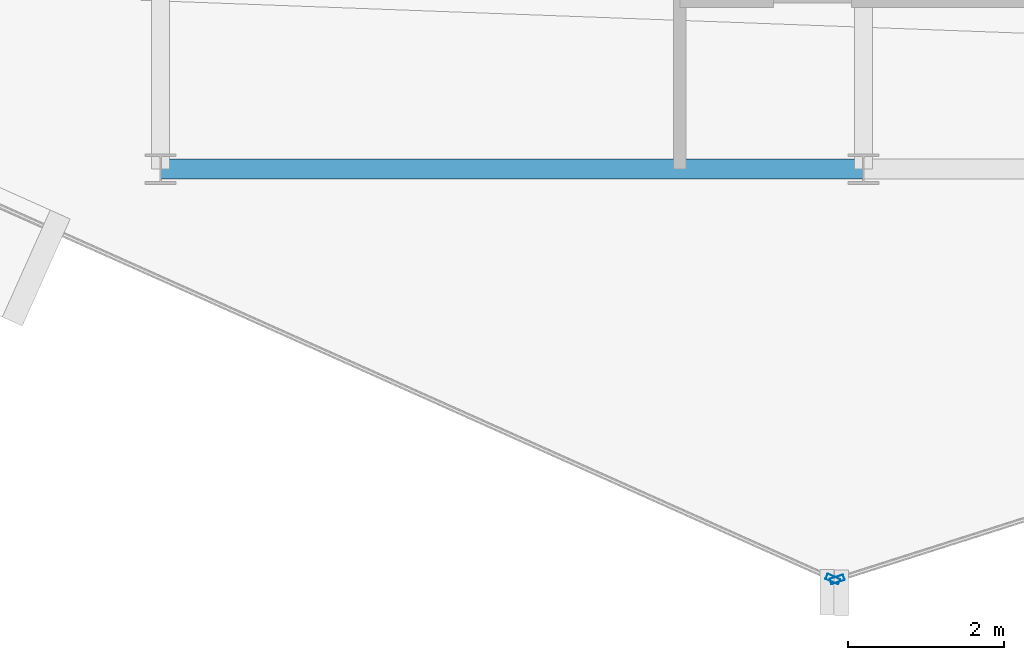
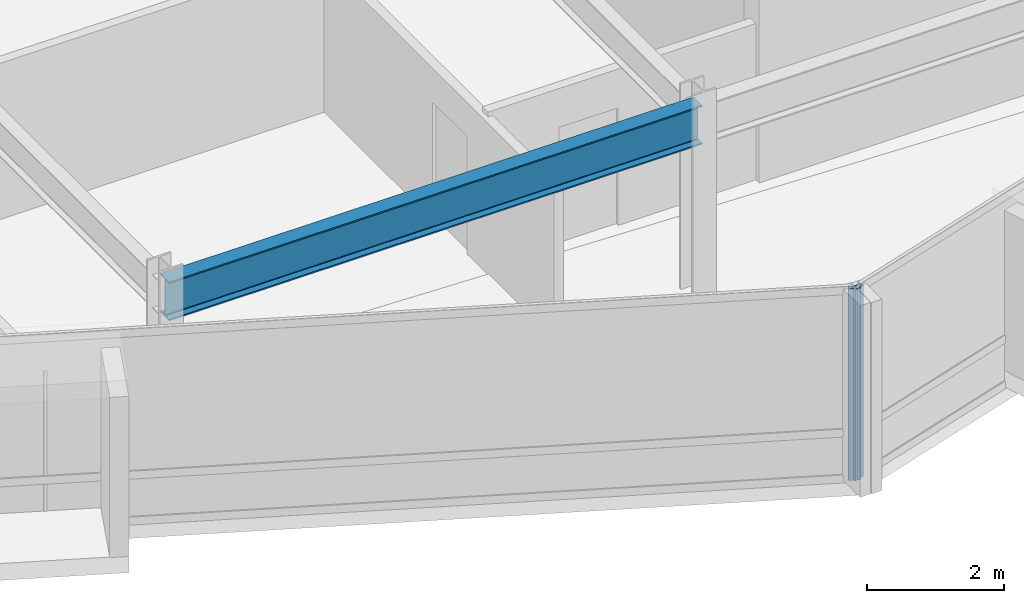
# One storey, part 4 of 19: 2 members, 1 beam, 2 elements without a shape of their own.
"""IFC4 building model written with IfcOpenShell, lengths in metres."""

from ifc_helpers import new_model, si_unit, direction, frame, origin, origin_2d, place, context, subcontext, project, spatial, hollow_rectangle, i_section, extrude, material, layer, layer_set, material_profile, profile_set, type_object, element, aggregate, save


model = new_model("IFC4")

# Units and contexts
model_context = context("Model", 3, precision=1e-05, world=origin(), true_north=direction((0.0, 1.0)))
body_context = subcontext(model_context, "Body", "Model", "MODEL_VIEW")
ifc_project = project(units=[si_unit("LENGTHUNIT", "METRE"), si_unit("AREAUNIT", "SQUARE_METRE"), si_unit("VOLUMEUNIT", "CUBIC_METRE"), si_unit("PLANEANGLEUNIT", "RADIAN"), si_unit("MASSUNIT", "GRAM", prefix="KILO")], contexts=[model_context])

# Site, building, storey
site_placement = place(None, origin())
site = spatial("IfcSite", under=ifc_project, at=site_placement, CompositionType="ELEMENT")
building_placement = place(site_placement, origin())
building = spatial("IfcBuilding", under=site, at=building_placement, Name="Solvaryn Broadcast Tower", CompositionType="ELEMENT")
storey_placement = place(building_placement, frame((0.0, 0.0, 259.300048828125)))
storey = spatial("IfcBuildingStorey", under=building, at=storey_placement, Name="L65", CompositionType="ELEMENT", Elevation=259.300048828125)

# Beam
ifc_material_1 = material(Name="Steel ASTM A992 Grade 50", Category="steel")
ifc_material_profile_1 = material_profile(ifc_material_1, i_section(OverallWidth=0.256103515625, OverallDepth=0.693115234375, WebThickness=0.014404296875, FlangeThickness=0.023681640625, FilletRadius=0.01611328125, at=origin_2d()))
ifc_profile_set_1 = profile_set([ifc_material_profile_1], Name="Steel ASTM A992 Grade 50")
beam_type = type_object("IfcBeamType", Name="BM-SP3-W27X114", PredefinedType="USERDEFINED", material=ifc_profile_set_1)
beam_placement = place(storey_placement, frame((18.0, 9.0, 3.073486328125), z_axis=(1.0, 0.0, 0.0), x_axis=(0.0, 1.0, 0.0)))
element("IfcBeam", 1, at=beam_placement, inside=storey, type_object=beam_type, Name="L65 Spandrel Beam X (18-27 @ Y=9)", ObjectType="SPANDREL", PredefinedType="USERDEFINED", context=body_context, shape_type="SweptSolid", body=[
    extrude(i_section(OverallWidth=0.256103515625, OverallDepth=0.693115234375, WebThickness=0.014404296875, FlangeThickness=0.023681640625, FilletRadius=0.01611328125, at=origin_2d()), origin(), (0.0, 0.0, 1.0), 9.0),
])

# Curtain wall, member
ifc_material_2 = material(Name="Aluminium and Terracotta Unitised Curtain Wall", Category="masonry")
ifc_layer = layer(ifc_material_2, 0.199951171875)
ifc_layer_set = layer_set([ifc_layer], Name="CW-SYS2-LOWMID")
curtain_wall_type = type_object("IfcCurtainWallType", Name="CW-SYS2-LOWMID", PredefinedType="NOTDEFINED", material=ifc_layer_set)
curtain_wall_1_placement = place(storey_placement, origin())
curtain_wall_1 = element("IfcCurtainWall", 2, at=curtain_wall_1_placement, inside=storey, type_object=curtain_wall_type, Name="L65 Curtain Wall DR3", PredefinedType="NOTDEFINED")
ifc_material_3 = material(Name="Anodised Aluminium 6063-T6", Category="aluminium")
ifc_material_profile_2 = material_profile(ifc_material_3, hollow_rectangle(XDim=0.074951171875, YDim=0.179931640625, WallThickness=0.00390625, InnerFilletRadius=0.00390625, OuterFilletRadius=0.008056640625, at=origin_2d()))
ifc_profile_set_2 = profile_set([ifc_material_profile_2], Name="Anodised Aluminium 6063-T6")
member_type = type_object("IfcMemberType", Name="CW-MUL-180", PredefinedType="MULLION", material=ifc_profile_set_2)
member_1_placement = place(storey_placement, frame((26.608642578125, 3.750244140625, 0.0), z_axis=(0.0, 0.0, 1.0), x_axis=(0.408466010682, 0.912773530574, 0.0)))
member_1 = element("IfcMember", 3, at=member_1_placement, type_object=member_type, Name="CWS2 mullion 2", PredefinedType="MULLION", context=body_context, shape_type="SweptSolid", body=[
    extrude(hollow_rectangle(XDim=0.074951171875, YDim=0.179931640625, WallThickness=0.00390625, InnerFilletRadius=0.00390625, OuterFilletRadius=0.008056640625, at=origin_2d()), origin(), (0.0, 0.0, 1.0), 3.419921875),
])
aggregate(curtain_wall_1, [member_1])

curtain_wall_2_placement = place(storey_placement, origin())
curtain_wall_2 = element("IfcCurtainWall", 4, at=curtain_wall_2_placement, inside=storey, type_object=curtain_wall_type, Name="L65 Curtain Wall DR4", PredefinedType="NOTDEFINED")
member_2_placement = place(storey_placement, frame((26.66455078125, 3.7470703125, 0.0), z_axis=(0.0, 0.0, 1.0), x_axis=(-0.30361564569, 0.952794594701, 0.0)))
member_2 = element("IfcMember", 5, at=member_2_placement, type_object=member_type, Name="CWS2 mullion 1", PredefinedType="MULLION", context=body_context, shape_type="SweptSolid", body=[
    extrude(hollow_rectangle(XDim=0.074951171875, YDim=0.179931640625, WallThickness=0.00390625, InnerFilletRadius=0.00390625, OuterFilletRadius=0.008056640625, at=origin_2d()), origin(), (0.0, 0.0, 1.0), 3.419921875),
])
aggregate(curtain_wall_2, [member_2])

save(model, "model.ifc")
